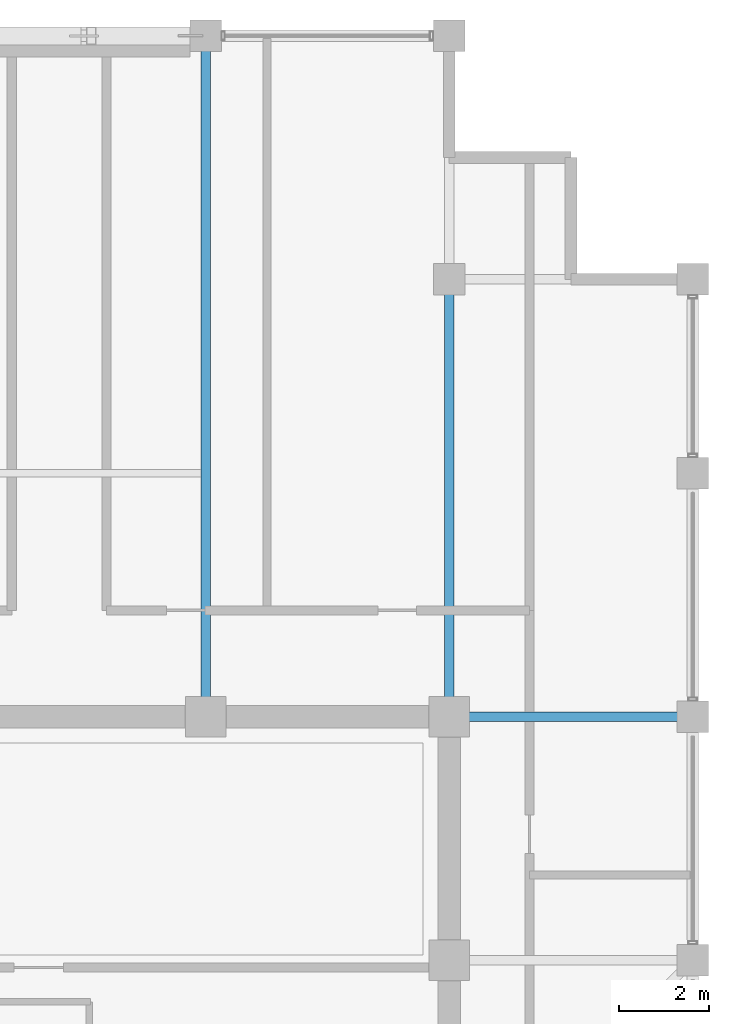
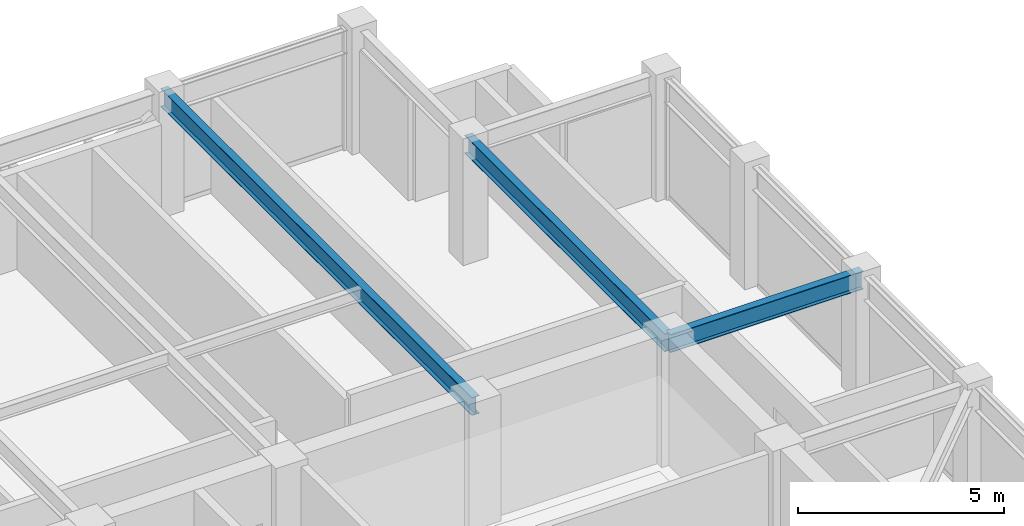
# One storey, part 20 of 30: 3 beams.
"""IFC4 building model written with IfcOpenShell, lengths in metres."""

from ifc_helpers import new_model, si_unit, direction, frame, origin, origin_2d, place, context, subcontext, project, spatial, i_section, extrude, material, material_profile, profile_set, type_object, element, save


model = new_model("IFC4")

# Units and contexts
model_context = context("Model", 3, precision=1e-05, world=origin(), true_north=direction((0.0, 1.0)))
body_context = subcontext(model_context, "Body", "Model", "MODEL_VIEW")
ifc_project = project(units=[si_unit("LENGTHUNIT", "METRE"), si_unit("AREAUNIT", "SQUARE_METRE"), si_unit("VOLUMEUNIT", "CUBIC_METRE"), si_unit("PLANEANGLEUNIT", "RADIAN"), si_unit("MASSUNIT", "GRAM", prefix="KILO")], contexts=[model_context])

# Site, building, storey
site_placement = place(None, origin())
site = spatial("IfcSite", under=ifc_project, at=site_placement, CompositionType="ELEMENT")
building_placement = place(site_placement, origin())
building = spatial("IfcBuilding", under=site, at=building_placement, Name="Surkhivell Harbour Commons", CompositionType="ELEMENT")
storey_placement = place(building_placement, frame((0.0, 0.0, 300.0)))
storey = spatial("IfcBuildingStorey", under=building, at=storey_placement, Name="L78", CompositionType="ELEMENT", Elevation=300.0)

# Beams
ifc_material = material(Name="Steel S355", Category="steel")
ifc_material_profile = material_profile(ifc_material, i_section(OverallWidth=0.2099609375, OverallDepth=0.537109375, WebThickness=0.0107421875, FlangeThickness=0.017333984375, at=origin_2d()), Name="UB533x210x101")
ifc_profile_set = profile_set([ifc_material_profile], Name="Steel S355")
beam_type = type_object("IfcBeamType", Name="BM-GRD-533B", PredefinedType="BEAM", material=ifc_profile_set)
beam_1_placement = place(storey_placement, frame((5.39990234375, 10.800048828125, 3.301513671875), z_axis=(0.0, 1.0, 0.0), x_axis=(-1.0, 0.0, 0.0)))
element("IfcBeam", 1, at=beam_1_placement, inside=storey, type_object=beam_type, Name="L78 Floor Girder (5.4,10.8)", PredefinedType="BEAM", context=body_context, shape_type="SweptSolid", body=[
    extrude(i_section(OverallWidth=0.2099609375, OverallDepth=0.537109375, WebThickness=0.0107421875, FlangeThickness=0.017333984375, at=origin_2d()), origin(), (0.0, 0.0, 1.0), 15.099853515625),
])
beam_2_placement = place(storey_placement, frame((10.800048828125, 10.800048828125, 3.301513671875), z_axis=(0.0, 1.0, 0.0), x_axis=(-1.0, 0.0, 0.0)))
element("IfcBeam", 2, at=beam_2_placement, inside=storey, type_object=beam_type, Name="L78 Floor Girder (10.8,10.8)", PredefinedType="BEAM", context=body_context, shape_type="SweptSolid", body=[
    extrude(i_section(OverallWidth=0.2099609375, OverallDepth=0.537109375, WebThickness=0.0107421875, FlangeThickness=0.017333984375, at=origin_2d()), origin(), (0.0, 0.0, 1.0), 9.699951171875),
])
beam_3_placement = place(storey_placement, frame((10.800048828125, 10.800048828125, 3.301513671875), z_axis=(1.0, 0.0, 0.0), x_axis=(0.0, 1.0, 0.0)))
element("IfcBeam", 3, at=beam_3_placement, inside=storey, type_object=beam_type, Name="L78 Floor Girder (10.8,10.8)", PredefinedType="BEAM", context=body_context, shape_type="SweptSolid", body=[
    extrude(i_section(OverallWidth=0.2099609375, OverallDepth=0.537109375, WebThickness=0.0107421875, FlangeThickness=0.017333984375, at=origin_2d()), origin(), (0.0, 0.0, 1.0), 5.39990234375),
])

save(model, "model.ifc")
